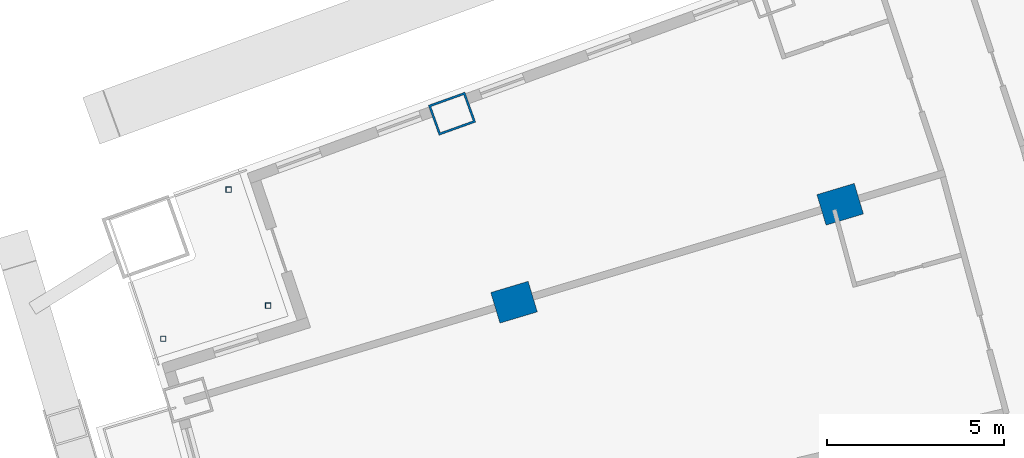
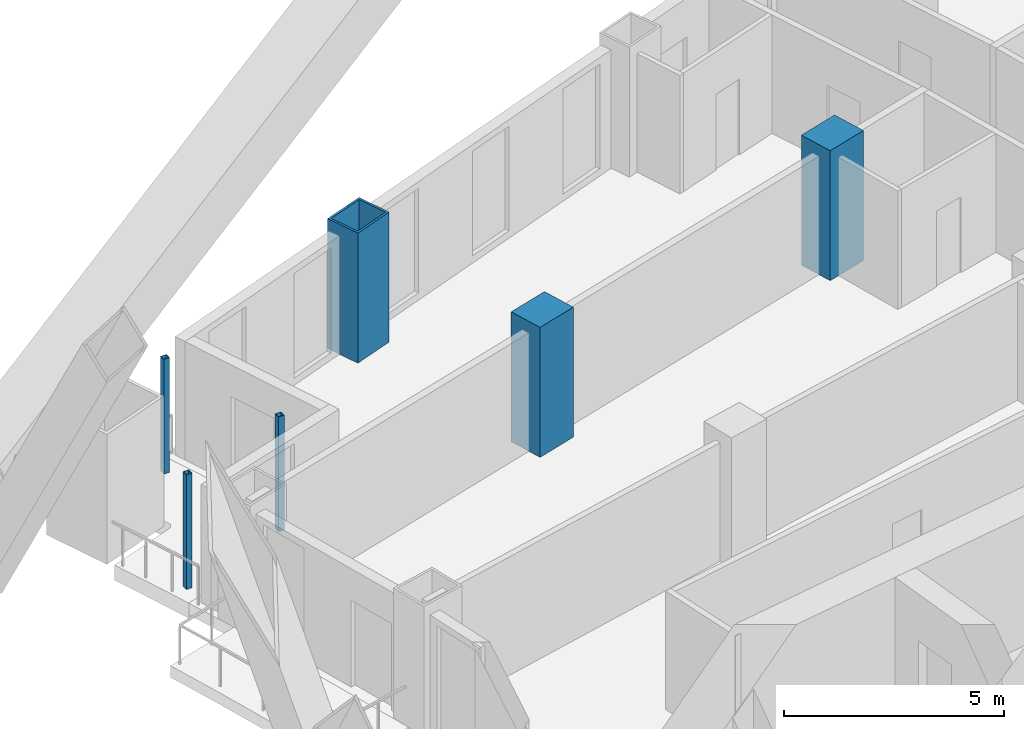
# One storey, part 6 of 23: 6 columns.
"""IFC4 building model written with IfcOpenShell, lengths in metres."""

from ifc_helpers import new_model, si_unit, direction, frame, origin, origin_2d, place, context, subcontext, project, spatial, rectangle, hollow_rectangle, extrude, material, material_profile, profile_set, type_object, element, save


model = new_model("IFC4")

# Units and contexts
model_context = context("Model", 3, precision=1e-05, world=origin(), true_north=direction((0.0, 1.0)))
body_context = subcontext(model_context, "Body", "Model", "MODEL_VIEW")
ifc_project = project(units=[si_unit("LENGTHUNIT", "METRE"), si_unit("AREAUNIT", "SQUARE_METRE"), si_unit("VOLUMEUNIT", "CUBIC_METRE"), si_unit("PLANEANGLEUNIT", "RADIAN"), si_unit("MASSUNIT", "GRAM", prefix="KILO")], contexts=[model_context])

# Site, building, storey
site_placement = place(None, origin())
site = spatial("IfcSite", under=ifc_project, at=site_placement, CompositionType="ELEMENT")
building_placement = place(site_placement, origin())
building = spatial("IfcBuilding", under=site, at=building_placement, Name="Alderwake Tower", CompositionType="ELEMENT")
storey_placement = place(building_placement, frame((0.0, 0.0, 53.60009765625)))
storey = spatial("IfcBuildingStorey", under=building, at=storey_placement, Name="L12", CompositionType="ELEMENT", Elevation=53.60009765625)

# Columns
ifc_material_1 = material(Name="Steel ASTM A572 Grade 50 concrete filled C70/85", Category="concrete")
ifc_material_profile_1 = material_profile(ifc_material_1, hollow_rectangle(XDim=0.89990234375, YDim=1.10009765625, WallThickness=0.06005859375, at=origin_2d()), Name="BOX 1100X900X60")
ifc_profile_set_1 = profile_set([ifc_material_profile_1], Name="Steel ASTM A572 Grade 50 concrete filled C70/85")
column_type_1 = type_object("IfcColumnType", Name="End column Z1", PredefinedType="COLUMN", material=ifc_profile_set_1)
column_placement = place(storey_placement, frame((19.965576171875, 96.8515625, 0.0), z_axis=(0.0, 0.0, 1.0), x_axis=(-0.337584879279, 0.9412950915, 0.0)))
element("IfcColumn", 1, at=column_placement, inside=storey, type_object=column_type_1, Name="Column R13-C1", PredefinedType="COLUMN", context=body_context, shape_type="SweptSolid", body=[
    extrude(hollow_rectangle(XDim=0.89990234375, YDim=1.10009765625, WallThickness=0.06005859375, at=origin_2d()), origin(), (0.0, 0.0, 1.0), 3.599853515625),
])
ifc_material_2 = material(Name="Concrete C70/85", Category="concrete")
ifc_material_profile_2 = material_profile(ifc_material_2, rectangle(XDim=0.89990234375, YDim=1.10009765625, at=origin_2d()), Name="RC 1100X900")
ifc_profile_set_2 = profile_set([ifc_material_profile_2], Name="Concrete C70/85")
column_type_2 = type_object("IfcColumnType", Name="Interior column Z1", PredefinedType="COLUMN", material=ifc_profile_set_2)
for number, where, z_axis, x_axis, name in (
    (2, (21.714599609375, 91.53759765625, 0.0), (0.0, 0.0, 1.0), (-0.287549418125, 0.957765802342, 0.0), "Column R12-C1"),
    (3, (30.9091796875, 94.298095703125, 0.0), (0.0, 0.0, 1.0), (-0.287549418125, 0.957765802342, 0.0), "Column R12-C2"),
):
    element("IfcColumn", number, at=place(storey_placement, frame(where, z_axis=z_axis, x_axis=x_axis)), inside=storey, type_object=column_type_2, Name=name, PredefinedType="COLUMN", context=body_context, shape_type="SweptSolid", body=[
        extrude(rectangle(XDim=0.89990234375, YDim=1.10009765625, at=origin_2d()), origin(), (0.0, 0.0, 1.0), 3.599853515625),
    ])
ifc_material_3 = material(Name="Steel ASTM A500 Grade C", Category="steel")
ifc_material_profile_3 = material_profile(ifc_material_3, hollow_rectangle(XDim=0.15234375, YDim=0.15234375, WallThickness=0.0087890625, at=origin_2d()), Name="HSS6X6X3/8")
ifc_profile_set_3 = profile_set([ifc_material_profile_3], Name="Steel ASTM A500 Grade C")
column_type_3 = type_object("IfcColumnType", Name="Light post HSS6X6X3/8", PredefinedType="COLUMN", material=ifc_profile_set_3)
for number, where, z_axis, x_axis, name in (
    (4, (11.82568359375, 90.507080078125, 0.0), (0.0, 0.0, 1.0), (1.0, 0.0, 0.0), "Terrace post RN1"),
    (5, (13.66796875, 94.71240234375, 0.0), (0.0, 0.0, 1.0), (1.0, 0.0, 0.0), "Terrace post RN2"),
    (6, (14.781494140625, 91.441650390625, 0.0), (0.0, 0.0, 1.0), (1.0, 0.0, 0.0), "Terrace post RN3"),
):
    element("IfcColumn", number, at=place(storey_placement, frame(where, z_axis=z_axis, x_axis=x_axis)), inside=storey, type_object=column_type_3, Name=name, PredefinedType="COLUMN", context=body_context, shape_type="SweptSolid", body=[
        extrude(hollow_rectangle(XDim=0.15234375, YDim=0.15234375, WallThickness=0.0087890625, at=origin_2d()), origin(), (0.0, 0.0, 1.0), 3.179931640625),
    ])

save(model, "model.ifc")
